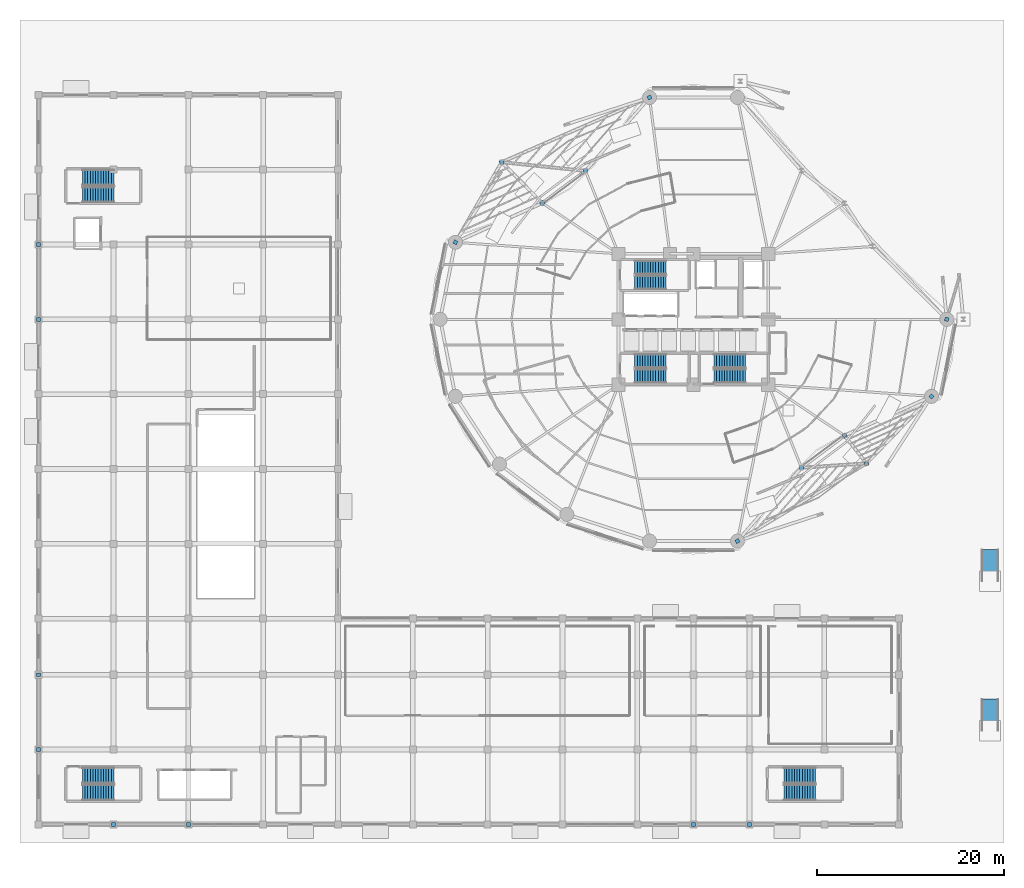
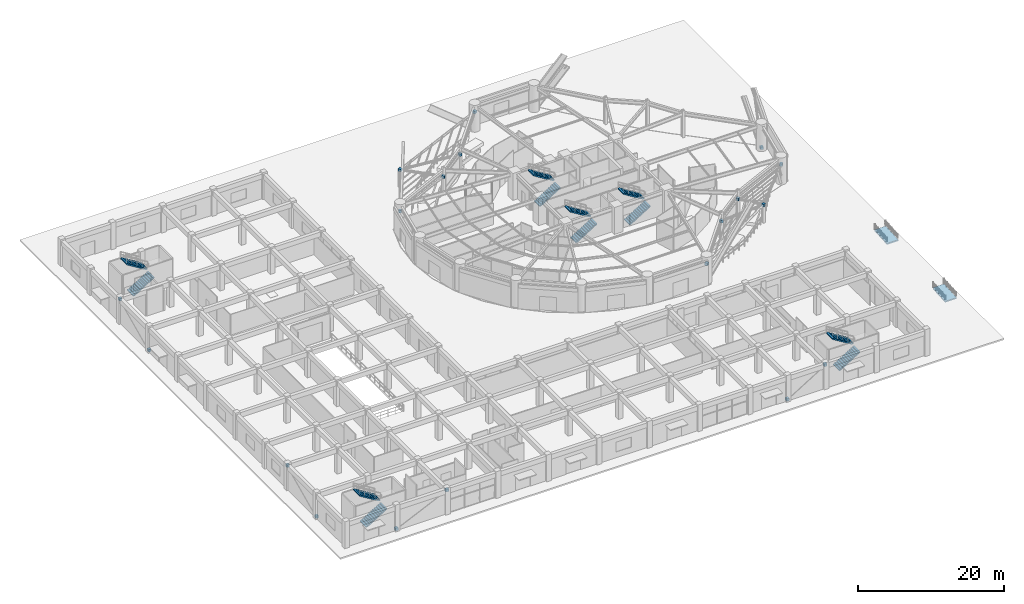
# One storey, part 32 of 40: 19 discrete accessories, 12 stair flights, 2 ramp flights, 8 elements without a shape of their own.
"""IFC4 building model written with IfcOpenShell, lengths in metres."""

from ifc_helpers import new_model, si_unit, direction, frame, origin, origin_2d, place, context, subcontext, project, spatial, polyline, rectangle, outline, extrude, source, transform, mapped, material, layer, layer_set, type_object, element, aggregate, save


model = new_model("IFC4")

# Units and contexts
model_context = context("Model", 3, precision=1e-05, world=origin(), true_north=direction((0.0, 1.0)))
body_context = subcontext(model_context, "Body", "Model", "MODEL_VIEW")
ifc_project = project(units=[si_unit("LENGTHUNIT", "METRE"), si_unit("AREAUNIT", "SQUARE_METRE"), si_unit("VOLUMEUNIT", "CUBIC_METRE"), si_unit("PLANEANGLEUNIT", "RADIAN"), si_unit("MASSUNIT", "GRAM", prefix="KILO")], contexts=[model_context])

# Site, building, storey
site_placement = place(None, origin())
site = spatial("IfcSite", under=ifc_project, at=site_placement, CompositionType="ELEMENT")
building_placement = place(site_placement, origin())
building = spatial("IfcBuilding", under=site, at=building_placement, Name="Kelanora Arch Commons", CompositionType="ELEMENT")
storey_placement = place(building_placement, origin())
storey = spatial("IfcBuildingStorey", under=building, at=storey_placement, Name="L00", CompositionType="ELEMENT", Elevation=0.0)

# Stair, stair flights
ifc_material_1 = material(Name="Concrete C40/50", Category="concrete")
stair_type = type_object("IfcStairType", Name="STR-DL-450", PredefinedType="HALF_TURN_STAIR", material=ifc_material_1)
stair_1_placement = place(storey_placement, origin())
stair_1 = element("IfcStair", 1, at=stair_1_placement, inside=storey, type_object=stair_type, Name="L00 ST-T1", PredefinedType="HALF_TURN_STAIR")
stair_flight_type = type_object("IfcStairFlightType", Name="FLT-DL-450", PredefinedType="STRAIGHT", material=ifc_material_1)
stair_flight_1_placement = place(storey_placement, frame((67.719970703125, 61.919921875, 0.0), z_axis=(0.0, 0.0, 1.0), x_axis=(1.0, 0.0, 0.0)))
stair_flight_1 = element("IfcStairFlight", 2, at=stair_flight_1_placement, type_object=stair_flight_type, Name="ST-T1 flight 1", NumberOfRisers=13, NumberOfTreads=12, PredefinedType="STRAIGHT", RiserHeight=0.173076923, TreadLength=0.28, context=body_context, shape_type="SweptSolid", body=[
    extrude(outline(polyline([(0.0, 0.0), (0.0, 0.173095703125), (0.280029296875, 0.173095703125), (0.280029296875, 0.34619140625), (0.56005859375, 0.34619140625), (0.56005859375, 0.519287109375), (0.840087890625, 0.519287109375), (0.840087890625, 0.6923828125), (1.1201171875, 0.6923828125), (1.1201171875, 0.865478515625), (1.39990234375, 0.865478515625), (1.39990234375, 1.03857421875), (1.679931640625, 1.03857421875), (1.679931640625, 1.21142578125), (1.9599609375, 1.21142578125), (1.9599609375, 1.384521484375), (2.239990234375, 1.384521484375), (2.239990234375, 1.5576171875), (2.52001953125, 1.5576171875), (2.52001953125, 1.730712890625), (2.800048828125, 1.730712890625), (2.800048828125, 1.90380859375), (3.080078125, 1.90380859375), (3.080078125, 2.076904296875), (3.360107421875, 2.076904296875), (3.360107421875, 2.25), (3.360107421875, 1.900634765625), (0.28515625, 0.0), (0.0, 0.0)])), frame((0.0, 0.739990234375, 0.0), z_axis=(0.0, -1.0, 0.0), x_axis=(1.0, 0.0, 0.0)), (0.0, 0.0, 1.0), 1.47998046875),
])
stair_flight_2_placement = place(storey_placement, frame((71.080078125, 63.550048828125, 2.25), z_axis=(0.0, 0.0, 1.0), x_axis=(-1.0, 0.0, 0.0)))
stair_flight_2 = element("IfcStairFlight", 3, at=stair_flight_2_placement, type_object=stair_flight_type, Name="ST-T1 flight 2", NumberOfRisers=13, NumberOfTreads=12, PredefinedType="STRAIGHT", RiserHeight=0.173076923, TreadLength=0.28, context=body_context, shape_type="SweptSolid", body=[
    extrude(outline(polyline([(0.0, 0.0), (0.0, 0.173095703125), (0.280029296875, 0.173095703125), (0.280029296875, 0.34619140625), (0.56005859375, 0.34619140625), (0.56005859375, 0.519287109375), (0.840087890625, 0.519287109375), (0.840087890625, 0.6923828125), (1.1201171875, 0.6923828125), (1.1201171875, 0.865478515625), (1.39990234375, 0.865478515625), (1.39990234375, 1.03857421875), (1.679931640625, 1.03857421875), (1.679931640625, 1.21142578125), (1.9599609375, 1.21142578125), (1.9599609375, 1.384521484375), (2.239990234375, 1.384521484375), (2.239990234375, 1.5576171875), (2.52001953125, 1.5576171875), (2.52001953125, 1.730712890625), (2.800048828125, 1.730712890625), (2.800048828125, 1.90380859375), (3.080078125, 1.90380859375), (3.080078125, 2.076904296875), (3.360107421875, 2.076904296875), (3.360107421875, 2.25), (3.360107421875, 1.900634765625), (0.28515625, 0.0), (0.0, 0.0)])), frame((0.0, 0.739990234375, 0.0), z_axis=(0.0, -1.0, 0.0), x_axis=(1.0, 0.0, 0.0)), (0.0, 0.0, 1.0), 1.47998046875),
])
aggregate(stair_1, [stair_flight_1, stair_flight_2])

stair_2_placement = place(storey_placement, origin())
stair_2 = element("IfcStair", 4, at=stair_2_placement, inside=storey, type_object=stair_type, Name="L00 ST-T2", PredefinedType="HALF_TURN_STAIR")
stair_flight_3_placement = place(storey_placement, frame((76.199951171875, 51.919921875, 0.0), z_axis=(0.0, 0.0, 1.0), x_axis=(1.0, 0.0, 0.0)))
stair_flight_3 = element("IfcStairFlight", 5, at=stair_flight_3_placement, type_object=stair_flight_type, Name="ST-T2 flight 1", NumberOfRisers=13, NumberOfTreads=12, PredefinedType="STRAIGHT", RiserHeight=0.173076923, TreadLength=0.28, context=body_context, shape_type="SweptSolid", body=[
    extrude(outline(polyline([(0.0, 0.0), (0.0, 0.173095703125), (0.280029296875, 0.173095703125), (0.280029296875, 0.34619140625), (0.56005859375, 0.34619140625), (0.56005859375, 0.519287109375), (0.840087890625, 0.519287109375), (0.840087890625, 0.6923828125), (1.1201171875, 0.6923828125), (1.1201171875, 0.865478515625), (1.39990234375, 0.865478515625), (1.39990234375, 1.03857421875), (1.679931640625, 1.03857421875), (1.679931640625, 1.21142578125), (1.9599609375, 1.21142578125), (1.9599609375, 1.384521484375), (2.239990234375, 1.384521484375), (2.239990234375, 1.5576171875), (2.52001953125, 1.5576171875), (2.52001953125, 1.730712890625), (2.800048828125, 1.730712890625), (2.800048828125, 1.90380859375), (3.080078125, 1.90380859375), (3.080078125, 2.076904296875), (3.360107421875, 2.076904296875), (3.360107421875, 2.25), (3.360107421875, 1.900634765625), (0.28515625, 0.0), (0.0, 0.0)])), frame((0.0, 0.739990234375, 0.0), z_axis=(0.0, -1.0, 0.0), x_axis=(1.0, 0.0, 0.0)), (0.0, 0.0, 1.0), 1.47998046875),
])
stair_flight_4_placement = place(storey_placement, frame((79.56005859375, 53.550048828125, 2.25), z_axis=(0.0, 0.0, 1.0), x_axis=(-1.0, 0.0, 0.0)))
stair_flight_4 = element("IfcStairFlight", 6, at=stair_flight_4_placement, type_object=stair_flight_type, Name="ST-T2 flight 2", NumberOfRisers=13, NumberOfTreads=12, PredefinedType="STRAIGHT", RiserHeight=0.173076923, TreadLength=0.28, context=body_context, shape_type="SweptSolid", body=[
    extrude(outline(polyline([(0.0, 0.0), (0.0, 0.173095703125), (0.280029296875, 0.173095703125), (0.280029296875, 0.34619140625), (0.56005859375, 0.34619140625), (0.56005859375, 0.519287109375), (0.840087890625, 0.519287109375), (0.840087890625, 0.6923828125), (1.1201171875, 0.6923828125), (1.1201171875, 0.865478515625), (1.39990234375, 0.865478515625), (1.39990234375, 1.03857421875), (1.679931640625, 1.03857421875), (1.679931640625, 1.21142578125), (1.9599609375, 1.21142578125), (1.9599609375, 1.384521484375), (2.239990234375, 1.384521484375), (2.239990234375, 1.5576171875), (2.52001953125, 1.5576171875), (2.52001953125, 1.730712890625), (2.800048828125, 1.730712890625), (2.800048828125, 1.90380859375), (3.080078125, 1.90380859375), (3.080078125, 2.076904296875), (3.360107421875, 2.076904296875), (3.360107421875, 2.25), (3.360107421875, 1.900634765625), (0.28515625, 0.0), (0.0, 0.0)])), frame((0.0, 0.739990234375, 0.0), z_axis=(0.0, -1.0, 0.0), x_axis=(1.0, 0.0, 0.0)), (0.0, 0.0, 1.0), 1.47998046875),
])
aggregate(stair_2, [stair_flight_3, stair_flight_4])

stair_3_placement = place(storey_placement, origin())
stair_3 = element("IfcStair", 7, at=stair_3_placement, inside=storey, type_object=stair_type, Name="L00 ST-T3", PredefinedType="HALF_TURN_STAIR")
stair_flight_5_placement = place(storey_placement, frame((67.719970703125, 51.919921875, 0.0), z_axis=(0.0, 0.0, 1.0), x_axis=(1.0, 0.0, 0.0)))
stair_flight_5 = element("IfcStairFlight", 8, at=stair_flight_5_placement, type_object=stair_flight_type, Name="ST-T3 flight 1", NumberOfRisers=13, NumberOfTreads=12, PredefinedType="STRAIGHT", RiserHeight=0.173076923, TreadLength=0.28, context=body_context, shape_type="SweptSolid", body=[
    extrude(outline(polyline([(0.0, 0.0), (0.0, 0.173095703125), (0.280029296875, 0.173095703125), (0.280029296875, 0.34619140625), (0.56005859375, 0.34619140625), (0.56005859375, 0.519287109375), (0.840087890625, 0.519287109375), (0.840087890625, 0.6923828125), (1.1201171875, 0.6923828125), (1.1201171875, 0.865478515625), (1.39990234375, 0.865478515625), (1.39990234375, 1.03857421875), (1.679931640625, 1.03857421875), (1.679931640625, 1.21142578125), (1.9599609375, 1.21142578125), (1.9599609375, 1.384521484375), (2.239990234375, 1.384521484375), (2.239990234375, 1.5576171875), (2.52001953125, 1.5576171875), (2.52001953125, 1.730712890625), (2.800048828125, 1.730712890625), (2.800048828125, 1.90380859375), (3.080078125, 1.90380859375), (3.080078125, 2.076904296875), (3.360107421875, 2.076904296875), (3.360107421875, 2.25), (3.360107421875, 1.900634765625), (0.28515625, 0.0), (0.0, 0.0)])), frame((0.0, 0.739990234375, 0.0), z_axis=(0.0, -1.0, 0.0), x_axis=(1.0, 0.0, 0.0)), (0.0, 0.0, 1.0), 1.47998046875),
])
stair_flight_6_placement = place(storey_placement, frame((71.080078125, 53.550048828125, 2.25), z_axis=(0.0, 0.0, 1.0), x_axis=(-1.0, 0.0, 0.0)))
stair_flight_6 = element("IfcStairFlight", 9, at=stair_flight_6_placement, type_object=stair_flight_type, Name="ST-T3 flight 2", NumberOfRisers=13, NumberOfTreads=12, PredefinedType="STRAIGHT", RiserHeight=0.173076923, TreadLength=0.28, context=body_context, shape_type="SweptSolid", body=[
    extrude(outline(polyline([(0.0, 0.0), (0.0, 0.173095703125), (0.280029296875, 0.173095703125), (0.280029296875, 0.34619140625), (0.56005859375, 0.34619140625), (0.56005859375, 0.519287109375), (0.840087890625, 0.519287109375), (0.840087890625, 0.6923828125), (1.1201171875, 0.6923828125), (1.1201171875, 0.865478515625), (1.39990234375, 0.865478515625), (1.39990234375, 1.03857421875), (1.679931640625, 1.03857421875), (1.679931640625, 1.21142578125), (1.9599609375, 1.21142578125), (1.9599609375, 1.384521484375), (2.239990234375, 1.384521484375), (2.239990234375, 1.5576171875), (2.52001953125, 1.5576171875), (2.52001953125, 1.730712890625), (2.800048828125, 1.730712890625), (2.800048828125, 1.90380859375), (3.080078125, 1.90380859375), (3.080078125, 2.076904296875), (3.360107421875, 2.076904296875), (3.360107421875, 2.25), (3.360107421875, 1.900634765625), (0.28515625, 0.0), (0.0, 0.0)])), frame((0.0, 0.739990234375, 0.0), z_axis=(0.0, -1.0, 0.0), x_axis=(1.0, 0.0, 0.0)), (0.0, 0.0, 1.0), 1.47998046875),
])
aggregate(stair_3, [stair_flight_5, stair_flight_6])

stair_4_placement = place(storey_placement, origin())
stair_4 = element("IfcStair", 10, at=stair_4_placement, inside=storey, type_object=stair_type, Name="L00 ST-M1", PredefinedType="HALF_TURN_STAIR")
stair_flight_7_placement = place(storey_placement, frame((8.679931640625, 7.39990234375, 0.0), z_axis=(0.0, 0.0, 1.0), x_axis=(1.0, 0.0, 0.0)))
stair_flight_7 = element("IfcStairFlight", 11, at=stair_flight_7_placement, type_object=stair_flight_type, Name="ST-M1 flight 1", NumberOfRisers=13, NumberOfTreads=12, PredefinedType="STRAIGHT", RiserHeight=0.173076923, TreadLength=0.28, context=body_context, shape_type="SweptSolid", body=[
    extrude(outline(polyline([(0.0, 0.0), (0.0, 0.173095703125), (0.280029296875, 0.173095703125), (0.280029296875, 0.34619140625), (0.56005859375, 0.34619140625), (0.56005859375, 0.519287109375), (0.840087890625, 0.519287109375), (0.840087890625, 0.6923828125), (1.1201171875, 0.6923828125), (1.1201171875, 0.865478515625), (1.39990234375, 0.865478515625), (1.39990234375, 1.03857421875), (1.679931640625, 1.03857421875), (1.679931640625, 1.21142578125), (1.9599609375, 1.21142578125), (1.9599609375, 1.384521484375), (2.239990234375, 1.384521484375), (2.239990234375, 1.5576171875), (2.52001953125, 1.5576171875), (2.52001953125, 1.730712890625), (2.800048828125, 1.730712890625), (2.800048828125, 1.90380859375), (3.080078125, 1.90380859375), (3.080078125, 2.076904296875), (3.360107421875, 2.076904296875), (3.360107421875, 2.25), (3.360107421875, 1.900634765625), (0.28515625, 0.0), (0.0, 0.0)])), frame((0.0, 0.83984375, 0.0), z_axis=(0.0, -1.0, 0.0), x_axis=(1.0, 0.0, 0.0)), (0.0, 0.0, 1.0), 1.679931640625),
])
stair_flight_8_placement = place(storey_placement, frame((12.0400390625, 9.22998046875, 2.25), z_axis=(0.0, 0.0, 1.0), x_axis=(-1.0, 0.0, 0.0)))
stair_flight_8 = element("IfcStairFlight", 12, at=stair_flight_8_placement, type_object=stair_flight_type, Name="ST-M1 flight 2", NumberOfRisers=13, NumberOfTreads=12, PredefinedType="STRAIGHT", RiserHeight=0.173076923, TreadLength=0.28, context=body_context, shape_type="SweptSolid", body=[
    extrude(outline(polyline([(0.0, 0.0), (0.0, 0.173095703125), (0.280029296875, 0.173095703125), (0.280029296875, 0.34619140625), (0.56005859375, 0.34619140625), (0.56005859375, 0.519287109375), (0.840087890625, 0.519287109375), (0.840087890625, 0.6923828125), (1.1201171875, 0.6923828125), (1.1201171875, 0.865478515625), (1.39990234375, 0.865478515625), (1.39990234375, 1.03857421875), (1.679931640625, 1.03857421875), (1.679931640625, 1.21142578125), (1.9599609375, 1.21142578125), (1.9599609375, 1.384521484375), (2.239990234375, 1.384521484375), (2.239990234375, 1.5576171875), (2.52001953125, 1.5576171875), (2.52001953125, 1.730712890625), (2.800048828125, 1.730712890625), (2.800048828125, 1.90380859375), (3.080078125, 1.90380859375), (3.080078125, 2.076904296875), (3.360107421875, 2.076904296875), (3.360107421875, 2.25), (3.360107421875, 1.900634765625), (0.28515625, 0.0), (0.0, 0.0)])), frame((0.0, 0.83984375, 0.0), z_axis=(0.0, -1.0, 0.0), x_axis=(1.0, 0.0, 0.0)), (0.0, 0.0, 1.0), 1.679931640625),
])
aggregate(stair_4, [stair_flight_7, stair_flight_8])

stair_5_placement = place(storey_placement, origin())
stair_5 = element("IfcStair", 13, at=stair_5_placement, inside=storey, type_object=stair_type, Name="L00 ST-M2", PredefinedType="HALF_TURN_STAIR")
stair_flight_9_placement = place(storey_placement, frame((83.679931640625, 7.39990234375, 0.0), z_axis=(0.0, 0.0, 1.0), x_axis=(1.0, 0.0, 0.0)))
stair_flight_9 = element("IfcStairFlight", 14, at=stair_flight_9_placement, type_object=stair_flight_type, Name="ST-M2 flight 1", NumberOfRisers=13, NumberOfTreads=12, PredefinedType="STRAIGHT", RiserHeight=0.173076923, TreadLength=0.28, context=body_context, shape_type="SweptSolid", body=[
    extrude(outline(polyline([(0.0, 0.0), (0.0, 0.173095703125), (0.280029296875, 0.173095703125), (0.280029296875, 0.34619140625), (0.56005859375, 0.34619140625), (0.56005859375, 0.519287109375), (0.840087890625, 0.519287109375), (0.840087890625, 0.6923828125), (1.1201171875, 0.6923828125), (1.1201171875, 0.865478515625), (1.39990234375, 0.865478515625), (1.39990234375, 1.03857421875), (1.679931640625, 1.03857421875), (1.679931640625, 1.21142578125), (1.9599609375, 1.21142578125), (1.9599609375, 1.384521484375), (2.239990234375, 1.384521484375), (2.239990234375, 1.5576171875), (2.52001953125, 1.5576171875), (2.52001953125, 1.730712890625), (2.800048828125, 1.730712890625), (2.800048828125, 1.90380859375), (3.080078125, 1.90380859375), (3.080078125, 2.076904296875), (3.360107421875, 2.076904296875), (3.360107421875, 2.25), (3.360107421875, 1.900634765625), (0.28515625, 0.0), (0.0, 0.0)])), frame((0.0, 0.83984375, 0.0), z_axis=(0.0, -1.0, 0.0), x_axis=(1.0, 0.0, 0.0)), (0.0, 0.0, 1.0), 1.679931640625),
])
stair_flight_10_placement = place(storey_placement, frame((87.0400390625, 9.22998046875, 2.25), z_axis=(0.0, 0.0, 1.0), x_axis=(-1.0, 0.0, 0.0)))
stair_flight_10 = element("IfcStairFlight", 15, at=stair_flight_10_placement, type_object=stair_flight_type, Name="ST-M2 flight 2", NumberOfRisers=13, NumberOfTreads=12, PredefinedType="STRAIGHT", RiserHeight=0.173076923, TreadLength=0.28, context=body_context, shape_type="SweptSolid", body=[
    extrude(outline(polyline([(0.0, 0.0), (0.0, 0.173095703125), (0.280029296875, 0.173095703125), (0.280029296875, 0.34619140625), (0.56005859375, 0.34619140625), (0.56005859375, 0.519287109375), (0.840087890625, 0.519287109375), (0.840087890625, 0.6923828125), (1.1201171875, 0.6923828125), (1.1201171875, 0.865478515625), (1.39990234375, 0.865478515625), (1.39990234375, 1.03857421875), (1.679931640625, 1.03857421875), (1.679931640625, 1.21142578125), (1.9599609375, 1.21142578125), (1.9599609375, 1.384521484375), (2.239990234375, 1.384521484375), (2.239990234375, 1.5576171875), (2.52001953125, 1.5576171875), (2.52001953125, 1.730712890625), (2.800048828125, 1.730712890625), (2.800048828125, 1.90380859375), (3.080078125, 1.90380859375), (3.080078125, 2.076904296875), (3.360107421875, 2.076904296875), (3.360107421875, 2.25), (3.360107421875, 1.900634765625), (0.28515625, 0.0), (0.0, 0.0)])), frame((0.0, 0.83984375, 0.0), z_axis=(0.0, -1.0, 0.0), x_axis=(1.0, 0.0, 0.0)), (0.0, 0.0, 1.0), 1.679931640625),
])
aggregate(stair_5, [stair_flight_9, stair_flight_10])

stair_6_placement = place(storey_placement, origin())
stair_6 = element("IfcStair", 16, at=stair_6_placement, inside=storey, type_object=stair_type, Name="L00 ST-M3", PredefinedType="HALF_TURN_STAIR")
stair_flight_11_placement = place(storey_placement, frame((8.679931640625, 71.320068359375, 0.0), z_axis=(0.0, 0.0, 1.0), x_axis=(1.0, 0.0, 0.0)))
stair_flight_11 = element("IfcStairFlight", 17, at=stair_flight_11_placement, type_object=stair_flight_type, Name="ST-M3 flight 1", NumberOfRisers=13, NumberOfTreads=12, PredefinedType="STRAIGHT", RiserHeight=0.173076923, TreadLength=0.28, context=body_context, shape_type="SweptSolid", body=[
    extrude(outline(polyline([(0.0, 0.0), (0.0, 0.173095703125), (0.280029296875, 0.173095703125), (0.280029296875, 0.34619140625), (0.56005859375, 0.34619140625), (0.56005859375, 0.519287109375), (0.840087890625, 0.519287109375), (0.840087890625, 0.6923828125), (1.1201171875, 0.6923828125), (1.1201171875, 0.865478515625), (1.39990234375, 0.865478515625), (1.39990234375, 1.03857421875), (1.679931640625, 1.03857421875), (1.679931640625, 1.21142578125), (1.9599609375, 1.21142578125), (1.9599609375, 1.384521484375), (2.239990234375, 1.384521484375), (2.239990234375, 1.5576171875), (2.52001953125, 1.5576171875), (2.52001953125, 1.730712890625), (2.800048828125, 1.730712890625), (2.800048828125, 1.90380859375), (3.080078125, 1.90380859375), (3.080078125, 2.076904296875), (3.360107421875, 2.076904296875), (3.360107421875, 2.25), (3.360107421875, 1.900634765625), (0.28515625, 0.0), (0.0, 0.0)])), frame((0.0, 0.83984375, 0.0), z_axis=(0.0, -1.0, 0.0), x_axis=(1.0, 0.0, 0.0)), (0.0, 0.0, 1.0), 1.679931640625),
])
stair_flight_12_placement = place(storey_placement, frame((12.0400390625, 73.14990234375, 2.25), z_axis=(0.0, 0.0, 1.0), x_axis=(-1.0, 0.0, 0.0)))
stair_flight_12 = element("IfcStairFlight", 18, at=stair_flight_12_placement, type_object=stair_flight_type, Name="ST-M3 flight 2", NumberOfRisers=13, NumberOfTreads=12, PredefinedType="STRAIGHT", RiserHeight=0.173076923, TreadLength=0.28, context=body_context, shape_type="SweptSolid", body=[
    extrude(outline(polyline([(0.0, 0.0), (0.0, 0.173095703125), (0.280029296875, 0.173095703125), (0.280029296875, 0.34619140625), (0.56005859375, 0.34619140625), (0.56005859375, 0.519287109375), (0.840087890625, 0.519287109375), (0.840087890625, 0.6923828125), (1.1201171875, 0.6923828125), (1.1201171875, 0.865478515625), (1.39990234375, 0.865478515625), (1.39990234375, 1.03857421875), (1.679931640625, 1.03857421875), (1.679931640625, 1.21142578125), (1.9599609375, 1.21142578125), (1.9599609375, 1.384521484375), (2.239990234375, 1.384521484375), (2.239990234375, 1.5576171875), (2.52001953125, 1.5576171875), (2.52001953125, 1.730712890625), (2.800048828125, 1.730712890625), (2.800048828125, 1.90380859375), (3.080078125, 1.90380859375), (3.080078125, 2.076904296875), (3.360107421875, 2.076904296875), (3.360107421875, 2.25), (3.360107421875, 1.900634765625), (0.28515625, 0.0), (0.0, 0.0)])), frame((0.0, 0.83984375, 0.0), z_axis=(0.0, -1.0, 0.0), x_axis=(1.0, 0.0, 0.0)), (0.0, 0.0, 1.0), 1.679931640625),
])
aggregate(stair_6, [stair_flight_11, stair_flight_12])

# Ramp, ramp flight
ifc_material_2 = material(Name="Concrete C40/50 non-slip granite finish", Category="masonry")
ramp_type = type_object("IfcRampType", Name="RMP-ACC-PED", PredefinedType="STRAIGHT_RUN_RAMP", material=ifc_material_2)
ramp_1_placement = place(storey_placement, origin())
ramp_1 = element("IfcRamp", 19, at=ramp_1_placement, inside=storey, type_object=ramp_type, Name="Accessible Entrance Ramp 01", PredefinedType="STRAIGHT_RUN_RAMP")
ifc_layer = layer(ifc_material_1, 0.219970703125)
ifc_layer_set = layer_set([ifc_layer], Name="Concrete C40/50")
ramp_flight_type = type_object("IfcRampFlightType", Name="RFL-ACC-PED", PredefinedType="STRAIGHT", material=ifc_layer_set)
ramp_flight_1_placement = place(storey_placement, frame((105.699951171875, 14.0, -0.219970703125), z_axis=(0.0, 0.0, 1.0), x_axis=(0.0, 1.0, 0.0)))
ramp_flight_1 = element("IfcRampFlight", 20, at=ramp_flight_1_placement, type_object=ramp_flight_type, Name="Accessible Ramp Flight 01", PredefinedType="STRAIGHT", context=body_context, shape_type="SweptSolid", body=[
    extrude(outline(polyline([(0.0, 0.0), (3.39990234375, 0.219970703125), (3.39990234375, 0.0), (0.0, -0.219970703125), (0.0, 0.0)])), frame((0.0, 0.89990234375, 0.0), z_axis=(0.0, -1.0, 0.0), x_axis=(1.0, 0.0, 0.0)), (0.0, 0.0, 1.0), 1.800048828125),
])
aggregate(ramp_1, [ramp_flight_1])

ramp_2_placement = place(storey_placement, origin())
ramp_2 = element("IfcRamp", 21, at=ramp_2_placement, inside=storey, type_object=ramp_type, Name="Accessible Entrance Ramp 02", PredefinedType="STRAIGHT_RUN_RAMP")
ramp_flight_2_placement = place(storey_placement, frame((105.699951171875, 30.0, -0.219970703125), z_axis=(0.0, 0.0, 1.0), x_axis=(0.0, 1.0, 0.0)))
ramp_flight_2 = element("IfcRampFlight", 22, at=ramp_flight_2_placement, type_object=ramp_flight_type, Name="Accessible Ramp Flight 02", PredefinedType="STRAIGHT", context=body_context, shape_type="SweptSolid", body=[
    extrude(outline(polyline([(0.0, 0.0), (3.39990234375, 0.219970703125), (3.39990234375, 0.0), (0.0, -0.219970703125), (0.0, 0.0)])), frame((0.0, 0.89990234375, 0.0), z_axis=(0.0, -1.0, 0.0), x_axis=(1.0, 0.0, 0.0)), (0.0, 0.0, 1.0), 1.800048828125),
])
aggregate(ramp_2, [ramp_flight_2])

# Discrete accessories
ifc_material_3 = material(Name="Steel S355", Category="steel")
discrete_accessory_type = type_object("IfcDiscreteAccessoryType", Name="ACC-BRC-CONN", PredefinedType="BRACKET", material=ifc_material_3)
shared_shape = source(origin(), body_context, "Body", "SweptSolid", [
    extrude(rectangle(XDim=0.419921875, YDim=0.419921875, at=origin_2d()), origin(), (0.0, 0.0, 1.0), 0.419921875),
])
for number, where, z_axis, x_axis, name in (
    (23, (12.0, 4.0, 0.0400390625), (0.0, 0.0, 1.0), (1.0, 0.0, 0.0), "Brace and Strut Gusset End Connection 0001"),
    (24, (20.0, 4.0, 3.739990234375), (0.0, 0.0, 1.0), (1.0, 0.0, 0.0), "Brace and Strut Gusset End Connection 0002"),
    (25, (74.0, 4.0, 0.0400390625), (0.0, 0.0, 1.0), (1.0, 0.0, 0.0), "Brace and Strut Gusset End Connection 0003"),
    (26, (80.0, 4.0, 3.739990234375), (0.0, 0.0, 1.0), (1.0, 0.0, 0.0), "Brace and Strut Gusset End Connection 0004"),
    (27, (4.0, 12.0, 0.0400390625), (0.0, 0.0, 1.0), (0.0, 1.0, 0.0), "Brace and Strut Gusset End Connection 0005"),
    (28, (4.0, 20.0, 3.739990234375), (0.0, 0.0, 1.0), (0.0, 1.0, 0.0), "Brace and Strut Gusset End Connection 0006"),
    (29, (4.0, 58.0, 0.0400390625), (0.0, 0.0, 1.0), (0.0, 1.0, 0.0), "Brace and Strut Gusset End Connection 0007"),
    (30, (4.0, 66.0, 3.739990234375), (0.0, 0.0, 1.0), (0.0, 1.0, 0.0), "Brace and Strut Gusset End Connection 0008"),
    (31, (101.080078125, 58.0, -0.010009765625), (0.0, 0.0, 1.0), (0.28435001862, 0.958720536398, 0.0), "Brace and Strut Gusset End Connection 0217"),
    (32, (69.297607421875, 81.714111328125, 2.72998046875), (0.0, 0.0, 1.0), (-0.916083009922, -0.400988676813, 0.0), "Brace and Strut Gusset End Connection 0242"),
    (33, (53.5, 74.800048828125, 2.72998046875), (0.0, 0.0, 1.0), (-0.916083009922, -0.400988676813, 0.0), "Brace and Strut Gusset End Connection 0243"),
    (34, (48.552978515625, 66.23583984375, 2.72998046875), (0.0, 0.0, 1.0), (-0.500151142331, -0.865938124132, 0.0), "Brace and Strut Gusset End Connection 0244"),
    (35, (62.454345703125, 73.866455078125, 2.72998046875), (0.0, 0.0, 1.0), (-0.994612734963, 0.103660539498, 0.0), "Brace and Strut Gusset End Connection 0245"),
    (36, (57.843505859375, 70.426025390625, 2.72998046875), (0.0, 0.0, 1.0), (-0.704634209964, 0.709570736537, 0.0), "Brace and Strut Gusset End Connection 0246"),
    (37, (78.702392578125, 34.285888671875, 2.72998046875), (0.0, 0.0, 1.0), (0.856537423431, 0.516084917685, 0.0), "Brace and Strut Gusset End Connection 0247"),
    (38, (92.5, 42.60009765625, 2.72998046875), (0.0, 0.0, 1.0), (0.856537423431, 0.516084917685, 0.0), "Brace and Strut Gusset End Connection 0248"),
    (39, (99.447021484375, 49.76416015625, 2.72998046875), (0.0, 0.0, 1.0), (0.696163427557, 0.717883334625, 0.0), "Brace and Strut Gusset End Connection 0249"),
    (40, (85.545654296875, 42.133544921875, 2.72998046875), (0.0, 0.0, 1.0), (0.997754957227, 0.066970481029, 0.0), "Brace and Strut Gusset End Connection 0250"),
    (41, (90.156494140625, 45.573974609375, 2.72998046875), (0.0, 0.0, 1.0), (0.61895687622, -0.785424971197, 0.0), "Brace and Strut Gusset End Connection 0251"),
):
    element("IfcDiscreteAccessory", number, at=place(storey_placement, frame(where, z_axis=z_axis, x_axis=x_axis)), inside=storey, type_object=discrete_accessory_type, Name=name, PredefinedType="BRACKET", context=body_context, shape_type="MappedRepresentation", body=[
        mapped(shared_shape, transform((0.0, 0.0, 0.0), scale=1.0)),
    ])

save(model, "model.ifc")
